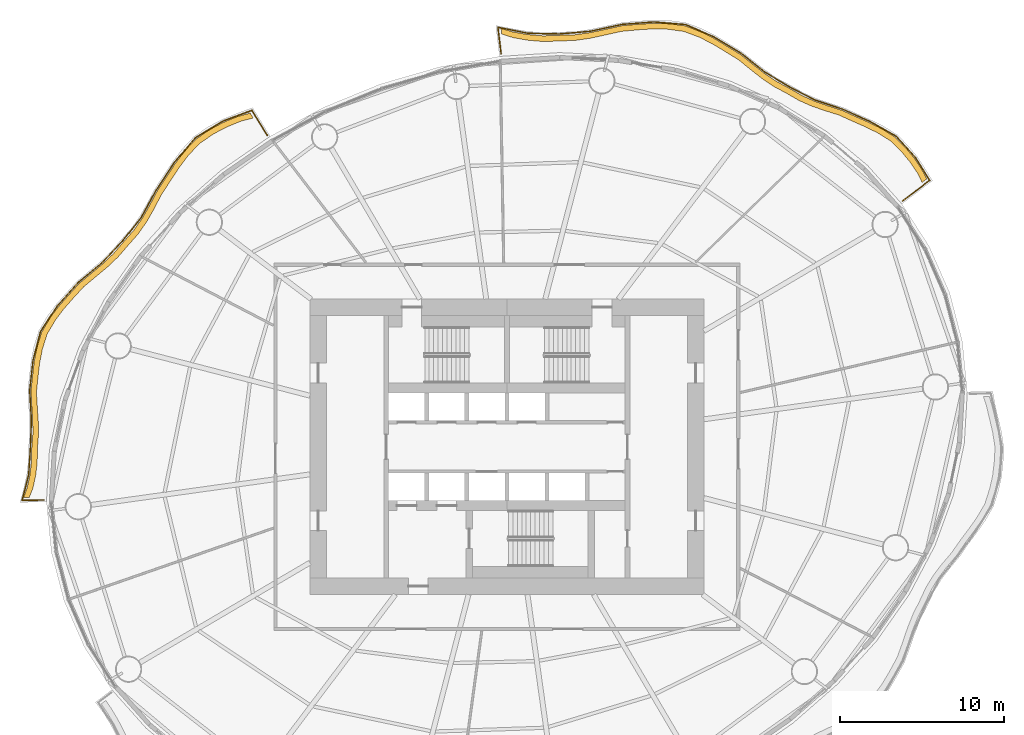
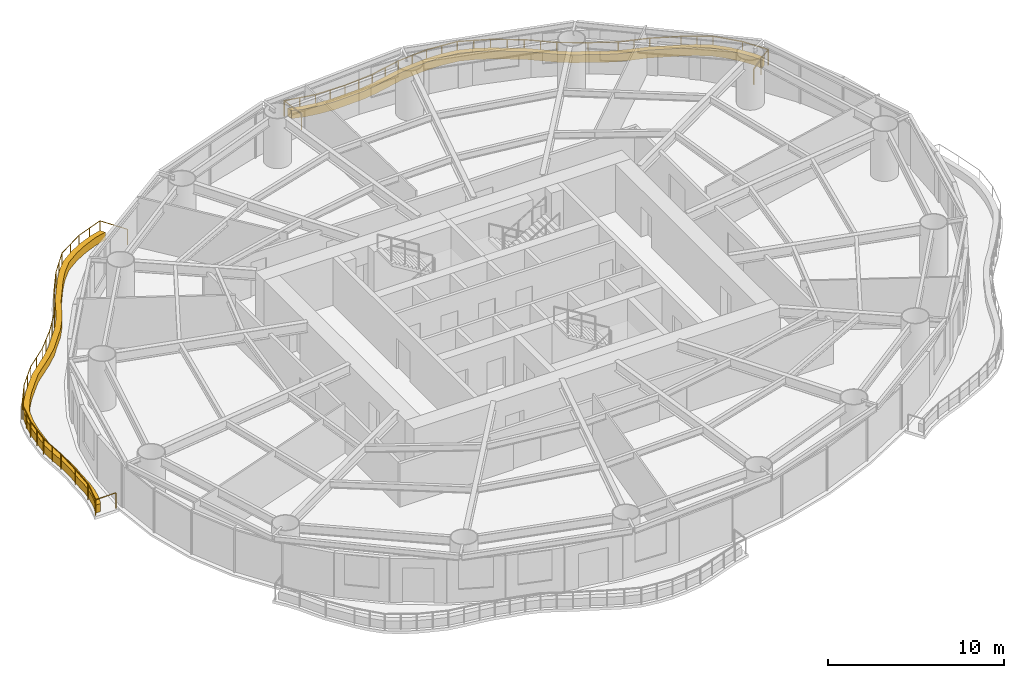
# One storey, part 16 of 16: 2 coverings, 2 railings.
"""IFC4 building model written with IfcOpenShell, lengths in metres."""

from ifc_helpers import new_model, si_unit, direction, frame, origin, origin_2d, place, context, subcontext, project, spatial, polyline, circle, outline, extrude, material, type_object, element, save


model = new_model("IFC4")

# Units and contexts
model_context = context("Model", 3, precision=1e-05, world=origin(), true_north=direction((0.0, 1.0)))
body_context = subcontext(model_context, "Body", "Model", "MODEL_VIEW")
ifc_project = project(units=[si_unit("LENGTHUNIT", "METRE"), si_unit("AREAUNIT", "SQUARE_METRE"), si_unit("VOLUMEUNIT", "CUBIC_METRE"), si_unit("PLANEANGLEUNIT", "RADIAN"), si_unit("MASSUNIT", "GRAM", prefix="KILO")], contexts=[model_context])

# Site, building, storey
site_placement = place(None, origin())
site = spatial("IfcSite", under=ifc_project, at=site_placement, CompositionType="ELEMENT")
building_placement = place(site_placement, origin())
building = spatial("IfcBuilding", under=site, at=building_placement, Name="Vermilion Reach Broadcast Tower", CompositionType="ELEMENT")
storey_placement = place(building_placement, frame((0.0, 0.0, 110.199951171875)))
storey = spatial("IfcBuildingStorey", under=building, at=storey_placement, Name="L25", CompositionType="ELEMENT", Elevation=110.199951171875)

# Coverings
ifc_material_1 = material(Name="Planting soil and greenery")
covering_type = type_object("IfcCoveringType", Name="Balcony PLANTER", PredefinedType="USERDEFINED", material=ifc_material_1)
placement = place(storey_placement, origin())
element("IfcCovering", 1, at=placement, inside=storey, type_object=covering_type, Name="PLANTER L25 group 1", ObjectType="PLANTER", PredefinedType="USERDEFINED", context=body_context, shape_type="SweptSolid", body=[
    extrude(outline(polyline([(19.572998046875, 16.319091796875), (19.2685546875, 16.919189453125), (18.82666015625, 17.576171875), (18.32666015625, 18.181396484375), (17.6474609375, 18.866943359375), (16.810302734375, 19.393310546875), (16.071044921875, 19.75732421875), (15.306640625, 20.091552734375), (14.44775390625, 20.490234375), (13.530517578125, 20.783935546875), (12.73583984375, 21.0595703125), (11.978759765625, 21.39599609375), (11.205810546875, 21.843017578125), (10.396484375, 22.2734375), (9.686767578125, 22.752685546875), (9.0029296875, 23.29052734375), (8.231689453125, 23.90625), (7.368896484375, 24.431396484375), (6.603271484375, 24.89208984375), (5.819091796875, 25.28955078125), (4.866455078125, 25.645263671875), (3.84033203125, 25.7861328125), (2.94580078125, 25.8056640625), (2.0380859375, 25.746826171875), (1.01708984375, 25.657470703125), (-0.00537109375, 25.433837890625), (-0.919677734375, 25.23583984375), (-1.830810546875, 25.105224609375), (-2.796630859375, 25.072509765625), (-3.77392578125, 25.03759765625), (-4.69873046875, 25.112548828125), (-5.62890625, 25.27197265625), (-6.356201171875, 25.494873046875), (-6.314697265625, 25.147216796875), (-5.6064453125, 24.922607421875), (-4.67626953125, 24.76318359375), (-3.751708984375, 24.688232421875), (-2.7939453125, 24.722412109375), (-1.847900390625, 24.755859375), (-0.936767578125, 24.88623046875), (-0.0224609375, 25.084228515625), (0.979736328125, 25.3095703125), (1.98046875, 25.401611328125), (2.887939453125, 25.46044921875), (3.782470703125, 25.44091796875), (4.78759765625, 25.30419921875), (5.7197265625, 24.9541015625), (6.50390625, 24.556640625), (7.269287109375, 24.095703125), (8.11083984375, 23.57763671875), (8.861572265625, 22.970458984375), (9.545166015625, 22.432373046875), (10.255126953125, 21.953369140625), (11.04296875, 21.533203125), (11.795166015625, 21.097900390625), (12.552490234375, 20.761474609375), (13.34716796875, 20.48583984375), (14.24365234375, 20.205810546875), (15.082763671875, 19.822265625), (15.84716796875, 19.48828125), (16.58642578125, 19.124267578125), (17.404296875, 18.615234375), (18.0654296875, 17.94873046875), (18.5654296875, 17.34326171875), (19.00732421875, 16.686279296875), (19.29443359375, 16.107177734375), (19.572998046875, 16.319091796875)])), origin(), (0.0, 0.0, 1.0), 0.550048828125),
])
element("IfcCovering", 2, at=placement, inside=storey, type_object=covering_type, Name="PLANTER L25 group 2", ObjectType="PLANTER", PredefinedType="USERDEFINED", context=body_context, shape_type="SweptSolid", body=[
    extrude(outline(polyline([(-21.6357421875, 20.32958984375), (-22.37646484375, 20.13427734375), (-23.247314453125, 19.77880859375), (-24.06689453125, 19.349609375), (-24.93798828125, 18.753173828125), (-25.655029296875, 17.991455078125), (-26.209228515625, 17.252685546875), (-26.72314453125, 16.468017578125), (-27.2939453125, 15.604248046875), (-27.765625, 14.708984375), (-28.215087890625, 13.921875), (-28.727294921875, 13.19140625), (-29.35791015625, 12.480224609375), (-29.96533203125, 11.77099609375), (-30.60498046875, 11.16357421875), (-31.2939453125, 10.590576171875), (-32.07275390625, 9.93798828125), (-32.73681640625, 9.202880859375), (-33.3095703125, 8.5517578125), (-33.821044921875, 7.868408203125), (-34.3330078125, 6.997802734375), (-34.62890625, 6.054931640625), (-34.7900390625, 5.23974609375), (-34.887939453125, 4.4013671875), (-34.99169921875, 3.425048828125), (-34.9443359375, 2.462158203125), (-34.887939453125, 1.631591796875), (-34.87548828125, 0.810302734375), (-34.945556640625, -0.076416015625), (-34.96142578125, -0.9423828125), (-35.054443359375, -1.722900390625), (-35.22265625, -2.4990234375), (-35.44189453125, -3.080810546875), (-35.092041015625, -3.073974609375), (-34.873291015625, -2.51904296875), (-34.704833984375, -1.742919921875), (-34.612060546875, -0.96240234375), (-34.5986328125, -0.12255859375), (-34.532958984375, 0.738525390625), (-34.54541015625, 1.559814453125), (-34.601806640625, 2.39013671875), (-34.655029296875, 3.3291015625), (-34.55908203125, 4.28173828125), (-34.461181640625, 5.1201171875), (-34.2998046875, 5.935302734375), (-34.012939453125, 6.856201171875), (-33.511474609375, 7.70556640625), (-32.999755859375, 8.388916015625), (-32.427001953125, 9.0400390625), (-31.77392578125, 9.755615234375), (-31.007568359375, 10.389404296875), (-30.318603515625, 10.96240234375), (-29.678955078125, 11.56982421875), (-29.08447265625, 12.261962890625), (-28.4677734375, 12.956787109375), (-27.95556640625, 13.687255859375), (-27.505859375, 14.474365234375), (-27.04833984375, 15.354736328125), (-26.492431640625, 16.20458984375), (-25.978515625, 16.9892578125), (-25.42431640625, 17.72802734375), (-24.72265625, 18.477294921875), (-23.867431640625, 19.06201171875), (-23.0478515625, 19.4912109375), (-22.177001953125, 19.8466796875), (-21.452392578125, 20.031494140625), (-21.6357421875, 20.32958984375)])), origin(), (0.0, 0.0, 1.0), 0.550048828125),
])

# Railings
ifc_material_2 = material(Name="Stainless steel 316 balustrade", Category="steel")
railing_type = type_object("IfcRailingType", Name="Balcony guard 1100", PredefinedType="BALUSTRADE", material=ifc_material_2)
railing_1_placement = place(storey_placement, frame((18.103271484375, 14.975341796875, 0.0)))
element("IfcRailing", 3, at=railing_1_placement, inside=storey, type_object=railing_type, Name="Balcony guard L25 group 1", PredefinedType="BALUSTRADE", context=body_context, shape_type="SweptSolid", body=[
    extrude(circle(Radius=0.02490234375, at=origin_2d()), frame((0.0, 0.0, 1.0751953125), z_axis=(0.795820075143, 0.605533160115, 0.0), x_axis=(-0.605533160115, 0.795820075143, 0.0)), (0.0, 0.0, 1.0), 2.0771484375),
    extrude(circle(Radius=0.02490234375, at=origin_2d()), frame((1.653076171875, 1.2578125, 1.0751953125), z_axis=(-0.528784437375, 0.848756159795, 0.0), x_axis=(-0.848756159795, -0.528784437375, 0.0)), (0.0, 0.0, 1.0), 1.64501953125),
    extrude(circle(Radius=0.02490234375, at=origin_2d()), frame((0.783203125, 2.654052734375, 1.0751953125), z_axis=(-0.674589407059, 0.738193153506, 0.0), x_axis=(-0.738193153506, -0.674589407059, 0.0)), (0.0, 0.0, 1.0), 1.754150390625),
    extrude(circle(Radius=0.02490234375, at=origin_2d()), frame((-0.400146484375, 3.948974609375, 1.0751953125), z_axis=(-0.870319904688, 0.492486815564, 0.0), x_axis=(-0.492486815564, -0.870319904688, 0.0)), (0.0, 0.0, 1.0), 1.81640625),
    extrude(circle(Radius=0.02490234375, at=origin_2d()), frame((-1.98095703125, 4.843505859375, 1.0751953125), z_axis=(-0.911109144731, 0.412165168818, 0.0), x_axis=(-0.412165168818, -0.911109144731, 0.0)), (0.0, 0.0, 1.0), 1.786376953125),
    extrude(circle(Radius=0.02490234375, at=origin_2d()), frame((-3.608642578125, 5.579833984375, 1.0751953125), z_axis=(-0.948642819171, 0.316349176757, 0.0), x_axis=(-0.316349176757, -0.948642819171, 0.0)), (0.0, 0.0, 1.0), 1.809814453125),
    extrude(circle(Radius=0.02490234375, at=origin_2d()), frame((-5.325439453125, 6.15234375, 1.0751953125), z_axis=(-0.890023747189, 0.455914168939, 0.0), x_axis=(-0.455914168939, -0.890023747189, 0.0)), (0.0, 0.0, 1.0), 1.724365234375),
    extrude(circle(Radius=0.02490234375, at=origin_2d()), frame((-6.860107421875, 6.9384765625, 1.0751953125), z_axis=(-0.858110937565, 0.513464330632, 0.0), x_axis=(-0.513464330632, -0.858110937565, 0.0)), (0.0, 0.0, 1.0), 1.77587890625),
    extrude(circle(Radius=0.02490234375, at=origin_2d()), frame((-8.384033203125, 7.850341796875, 1.0751953125), z_axis=(-0.784120266908, 0.620608900213, 0.0), x_axis=(-0.620608900213, -0.784120266908, 0.0)), (0.0, 0.0, 1.0), 1.86181640625),
    extrude(circle(Radius=0.02490234375, at=origin_2d()), frame((-9.843994140625, 9.005859375, 1.0751953125), z_axis=(-0.855738569136, 0.517408447258, 0.0), x_axis=(-0.517408447258, -0.855738569136, 0.0)), (0.0, 0.0, 1.0), 1.90869140625),
    extrude(circle(Radius=0.02490234375, at=origin_2d()), frame((-11.477294921875, 9.993408203125, 1.0751953125), z_axis=(-0.917621309752, 0.39745582382, 0.0), x_axis=(-0.39745582382, -0.917621309752, 0.0)), (0.0, 0.0, 1.0), 1.89794921875),
    extrude(circle(Radius=0.02490234375, at=origin_2d()), frame((-13.218994140625, 10.747802734375, 1.0751953125), z_axis=(-0.996505554286, 0.083526524395, 0.0), x_axis=(-0.083526524395, -0.996505554286, 0.0)), (0.0, 0.0, 1.0), 1.93212890625),
    extrude(circle(Radius=0.02490234375, at=origin_2d()), frame((-15.144287109375, 10.9091796875, 1.0751953125), z_axis=(-0.997103172883, -0.07606091392, 0.0), x_axis=(0.07606091392, -0.997103172883, 0.0)), (0.0, 0.0, 1.0), 1.938720703125),
    extrude(circle(Radius=0.02490234375, at=origin_2d()), frame((-17.077392578125, 10.76171875, 1.0751953125), z_axis=(-0.977250607772, -0.212087834655, 0.0), x_axis=(0.212087834655, -0.977250607772, 0.0)), (0.0, 0.0, 1.0), 1.98681640625),
    extrude(circle(Radius=0.02490234375, at=origin_2d()), frame((-19.01904296875, 10.34033203125, 1.0751953125), z_axis=(-0.996263837911, -0.086361827631, 0.0), x_axis=(0.086361827631, -0.996263837911, 0.0)), (0.0, 0.0, 1.0), 1.888427734375),
    extrude(circle(Radius=0.02490234375, at=origin_2d()), frame((-20.900390625, 10.17724609375, 1.0751953125), z_axis=(-0.999782278512, 0.020866134622, 0.0), x_axis=(-0.020866134622, -0.999782278512, 0.0)), (0.0, 0.0, 1.0), 1.9072265625),
    extrude(circle(Radius=0.02490234375, at=origin_2d()), frame((-22.80712890625, 10.217041015625, 1.0751953125), z_axis=(-0.980365107358, 0.197190913267, 0.0), x_axis=(-0.197190913267, -0.980365107358, 0.0)), (0.0, 0.0, 1.0), 1.878173828125),
    extrude(circle(Radius=0.02490234375, at=origin_2d()), frame((-24.6484375, 10.58740234375, 1.0751953125), z_axis=(0.118426754855, -0.99296279071, 0.0), x_axis=(0.99296279071, 0.118426754855, 0.0)), (0.0, 0.0, 1.0), 1.634765625),
    extrude(circle(Radius=0.02490234375, at=origin_2d()), origin(), (0.0, 0.0, 1.0), 1.050048828125),
    extrude(circle(Radius=0.02490234375, at=origin_2d()), frame((0.82666015625, 0.62890625, 0.0)), (0.0, 0.0, 1.0), 1.050048828125),
    extrude(circle(Radius=0.02490234375, at=origin_2d()), frame((1.653076171875, 1.2578125, 0.0)), (0.0, 0.0, 1.0), 1.050048828125),
    extrude(circle(Radius=0.02490234375, at=origin_2d()), frame((0.783203125, 2.654052734375, 0.0)), (0.0, 0.0, 1.0), 1.050048828125),
    extrude(circle(Radius=0.02490234375, at=origin_2d()), frame((-0.400146484375, 3.948974609375, 0.0)), (0.0, 0.0, 1.0), 1.050048828125),
    extrude(circle(Radius=0.02490234375, at=origin_2d()), frame((-1.1904296875, 4.396240234375, 0.0)), (0.0, 0.0, 1.0), 1.050048828125),
    extrude(circle(Radius=0.02490234375, at=origin_2d()), frame((-1.98095703125, 4.843505859375, 0.0)), (0.0, 0.0, 1.0), 1.050048828125),
    extrude(circle(Radius=0.02490234375, at=origin_2d()), frame((-3.608642578125, 5.579833984375, 0.0)), (0.0, 0.0, 1.0), 1.050048828125),
    extrude(circle(Radius=0.02490234375, at=origin_2d()), frame((-4.467041015625, 5.8662109375, 0.0)), (0.0, 0.0, 1.0), 1.050048828125),
    extrude(circle(Radius=0.02490234375, at=origin_2d()), frame((-5.325439453125, 6.15234375, 0.0)), (0.0, 0.0, 1.0), 1.050048828125),
    extrude(circle(Radius=0.02490234375, at=origin_2d()), frame((-6.860107421875, 6.9384765625, 0.0)), (0.0, 0.0, 1.0), 1.050048828125),
    extrude(circle(Radius=0.02490234375, at=origin_2d()), frame((-8.384033203125, 7.850341796875, 0.0)), (0.0, 0.0, 1.0), 1.050048828125),
    extrude(circle(Radius=0.02490234375, at=origin_2d()), frame((-9.114013671875, 8.42822265625, 0.0)), (0.0, 0.0, 1.0), 1.050048828125),
    extrude(circle(Radius=0.02490234375, at=origin_2d()), frame((-9.843994140625, 9.005859375, 0.0)), (0.0, 0.0, 1.0), 1.050048828125),
    extrude(circle(Radius=0.02490234375, at=origin_2d()), frame((-10.66064453125, 9.49951171875, 0.0)), (0.0, 0.0, 1.0), 1.050048828125),
    extrude(circle(Radius=0.02490234375, at=origin_2d()), frame((-11.477294921875, 9.993408203125, 0.0)), (0.0, 0.0, 1.0), 1.050048828125),
    extrude(circle(Radius=0.02490234375, at=origin_2d()), frame((-12.34814453125, 10.37060546875, 0.0)), (0.0, 0.0, 1.0), 1.050048828125),
    extrude(circle(Radius=0.02490234375, at=origin_2d()), frame((-13.218994140625, 10.747802734375, 0.0)), (0.0, 0.0, 1.0), 1.050048828125),
    extrude(circle(Radius=0.02490234375, at=origin_2d()), frame((-14.181640625, 10.82861328125, 0.0)), (0.0, 0.0, 1.0), 1.050048828125),
    extrude(circle(Radius=0.02490234375, at=origin_2d()), frame((-15.144287109375, 10.9091796875, 0.0)), (0.0, 0.0, 1.0), 1.050048828125),
    extrude(circle(Radius=0.02490234375, at=origin_2d()), frame((-16.11083984375, 10.83544921875, 0.0)), (0.0, 0.0, 1.0), 1.050048828125),
    extrude(circle(Radius=0.02490234375, at=origin_2d()), frame((-17.077392578125, 10.76171875, 0.0)), (0.0, 0.0, 1.0), 1.050048828125),
    extrude(circle(Radius=0.02490234375, at=origin_2d()), frame((-18.04833984375, 10.551025390625, 0.0)), (0.0, 0.0, 1.0), 1.050048828125),
    extrude(circle(Radius=0.02490234375, at=origin_2d()), frame((-19.01904296875, 10.34033203125, 0.0)), (0.0, 0.0, 1.0), 1.050048828125),
    extrude(circle(Radius=0.02490234375, at=origin_2d()), frame((-19.959716796875, 10.2587890625, 0.0)), (0.0, 0.0, 1.0), 1.050048828125),
    extrude(circle(Radius=0.02490234375, at=origin_2d()), frame((-20.900390625, 10.17724609375, 0.0)), (0.0, 0.0, 1.0), 1.050048828125),
    extrude(circle(Radius=0.02490234375, at=origin_2d()), frame((-21.853759765625, 10.197265625, 0.0)), (0.0, 0.0, 1.0), 1.050048828125),
    extrude(circle(Radius=0.02490234375, at=origin_2d()), frame((-22.80712890625, 10.217041015625, 0.0)), (0.0, 0.0, 1.0), 1.050048828125),
    extrude(circle(Radius=0.02490234375, at=origin_2d()), frame((-23.727783203125, 10.40234375, 0.0)), (0.0, 0.0, 1.0), 1.050048828125),
    extrude(circle(Radius=0.02490234375, at=origin_2d()), frame((-24.6484375, 10.58740234375, 0.0)), (0.0, 0.0, 1.0), 1.050048828125),
    extrude(circle(Radius=0.02490234375, at=origin_2d()), frame((-24.454833984375, 8.964111328125, 0.0)), (0.0, 0.0, 1.0), 1.050048828125),
])
railing_2_placement = place(storey_placement, frame((-20.59423828125, 18.979736328125, 0.0)))
element("IfcRailing", 4, at=railing_2_placement, inside=storey, type_object=railing_type, Name="Balcony guard L25 group 2", PredefinedType="BALUSTRADE", context=body_context, shape_type="SweptSolid", body=[
    extrude(circle(Radius=0.02490234375, at=origin_2d()), frame((0.0, 0.0, 1.0751953125), z_axis=(-0.524036384482, 0.851695877493, 0.0), x_axis=(-0.851695877493, -0.524036384482, 0.0)), (0.0, 0.0, 1.0), 1.78515625),
    extrude(circle(Radius=0.02490234375, at=origin_2d()), frame((-0.935546875, 1.5205078125, 1.0751953125), z_axis=(-0.937317506283, -0.348476530652, 0.0), x_axis=(0.348476530652, -0.937317506283, 0.0)), (0.0, 0.0, 1.0), 1.881103515625),
    extrude(circle(Radius=0.02490234375, at=origin_2d()), frame((-2.69873046875, 0.864990234375, 1.0751953125), z_axis=(-0.85481873733, -0.518926706105, 0.0), x_axis=(0.518926706105, -0.85481873733, 0.0)), (0.0, 0.0, 1.0), 1.982177734375),
    extrude(circle(Radius=0.02490234375, at=origin_2d()), frame((-4.39306640625, -0.16357421875, 1.0751953125), z_axis=(-0.646619446776, -0.762812749664, 0.0), x_axis=(0.762812749664, -0.646619446776, 0.0)), (0.0, 0.0, 1.0), 1.970947265625),
    extrude(circle(Radius=0.02490234375, at=origin_2d()), frame((-5.66748046875, -1.6669921875, 1.0751953125), z_axis=(-0.550248823338, -0.835000737973, 0.0), x_axis=(0.835000737973, -0.550248823338, 0.0)), (0.0, 0.0, 1.0), 1.97802734375),
    extrude(circle(Radius=0.02490234375, at=origin_2d()), frame((-6.755859375, -3.318603515625, 1.0751953125), z_axis=(-0.480826311938, -0.87681586308, 0.0), x_axis=(0.87681586308, -0.480826311938, 0.0)), (0.0, 0.0, 1.0), 1.92236328125),
    extrude(circle(Radius=0.02490234375, at=origin_2d()), frame((-7.68017578125, -5.004150390625, 1.0751953125), z_axis=(-0.621299445608, -0.783573224968, 0.0), x_axis=(0.783573224968, -0.621299445608, 0.0)), (0.0, 0.0, 1.0), 1.844482421875),
    extrude(circle(Radius=0.02490234375, at=origin_2d()), frame((-8.826171875, -6.449462890625, 1.0751953125), z_axis=(-0.687372178571, -0.726305368373, 0.0), x_axis=(0.726305368373, -0.687372178571, 0.0)), (0.0, 0.0, 1.0), 1.818603515625),
    extrude(circle(Radius=0.02490234375, at=origin_2d()), frame((-10.076171875, -7.770263671875, 1.0751953125), z_axis=(-0.767103080231, -0.641523861053, 0.0), x_axis=(0.641523861053, -0.767103080231, 0.0)), (0.0, 0.0, 1.0), 1.9169921875),
    extrude(circle(Radius=0.02490234375, at=origin_2d()), frame((-11.546630859375, -9.0, 1.0751953125), z_axis=(-0.66538005115, -0.746504780649, 0.0), x_axis=(0.746504780649, -0.66538005115, 0.0)), (0.0, 0.0, 1.0), 1.86279296875),
    extrude(circle(Radius=0.02490234375, at=origin_2d()), frame((-12.7861328125, -10.390625, 1.0751953125), z_axis=(-0.549678966778, -0.835375983304, 0.0), x_axis=(0.835375983304, -0.549678966778, 0.0)), (0.0, 0.0, 1.0), 1.8662109375),
    extrude(circle(Radius=0.02490234375, at=origin_2d()), frame((-13.81201171875, -11.94970703125, 1.0751953125), z_axis=(-0.251952688019, -0.967739553289, 0.0), x_axis=(0.967739553289, -0.251952688019, 0.0)), (0.0, 0.0, 1.0), 1.82177734375),
    extrude(circle(Radius=0.02490234375, at=origin_2d()), frame((-14.27099609375, -13.712646484375, 1.0751953125), z_axis=(-0.111046024882, -0.993815264704, 0.0), x_axis=(0.993815264704, -0.111046024882, 0.0)), (0.0, 0.0, 1.0), 1.831298828125),
    extrude(circle(Radius=0.02490234375, at=origin_2d()), frame((-14.474365234375, -15.53271484375, 1.0751953125), z_axis=(0.056768125429, -0.998387389712, 0.0), x_axis=(0.998387389712, 0.056768125429, 0.0)), (0.0, 0.0, 1.0), 1.802001953125),
    extrude(circle(Radius=0.02490234375, at=origin_2d()), frame((-14.3720703125, -17.331787109375, 1.0751953125), z_axis=(-0.034168071828, -0.999416100965, 0.0), x_axis=(0.999416100965, -0.034168071828, 0.0)), (0.0, 0.0, 1.0), 1.71484375),
    extrude(circle(Radius=0.02490234375, at=origin_2d()), frame((-14.4306640625, -19.045654296875, 1.0751953125), z_axis=(-0.066049309894, -0.99781636019, 0.0), x_axis=(0.99781636019, -0.066049309894, 0.0)), (0.0, 0.0, 1.0), 1.656005859375),
    extrude(circle(Radius=0.02490234375, at=origin_2d()), frame((-14.5400390625, -20.697998046875, 1.0751953125), z_axis=(-0.249590883285, -0.968351377849, 0.0), x_axis=(0.968351377849, -0.249590883285, 0.0)), (0.0, 0.0, 1.0), 1.594482421875),
    extrude(circle(Radius=0.02490234375, at=origin_2d()), frame((-14.93798828125, -22.241943359375, 1.0751953125), z_axis=(0.999806630202, 0.019664745231, 0.0), x_axis=(-0.019664745231, 0.999806630202, 0.0)), (0.0, 0.0, 1.0), 1.3408203125),
    extrude(circle(Radius=0.02490234375, at=origin_2d()), origin(), (0.0, 0.0, 1.0), 1.050048828125),
    extrude(circle(Radius=0.02490234375, at=origin_2d()), frame((-0.935546875, 1.5205078125, 0.0)), (0.0, 0.0, 1.0), 1.050048828125),
    extrude(circle(Radius=0.02490234375, at=origin_2d()), frame((-1.817138671875, 1.19287109375, 0.0)), (0.0, 0.0, 1.0), 1.050048828125),
    extrude(circle(Radius=0.02490234375, at=origin_2d()), frame((-2.69873046875, 0.864990234375, 0.0)), (0.0, 0.0, 1.0), 1.050048828125),
    extrude(circle(Radius=0.02490234375, at=origin_2d()), frame((-3.5458984375, 0.3505859375, 0.0)), (0.0, 0.0, 1.0), 1.050048828125),
    extrude(circle(Radius=0.02490234375, at=origin_2d()), frame((-4.39306640625, -0.16357421875, 0.0)), (0.0, 0.0, 1.0), 1.050048828125),
    extrude(circle(Radius=0.02490234375, at=origin_2d()), frame((-5.0302734375, -0.915283203125, 0.0)), (0.0, 0.0, 1.0), 1.050048828125),
    extrude(circle(Radius=0.02490234375, at=origin_2d()), frame((-5.66748046875, -1.6669921875, 0.0)), (0.0, 0.0, 1.0), 1.050048828125),
    extrude(circle(Radius=0.02490234375, at=origin_2d()), frame((-6.211669921875, -2.49267578125, 0.0)), (0.0, 0.0, 1.0), 1.050048828125),
    extrude(circle(Radius=0.02490234375, at=origin_2d()), frame((-6.755859375, -3.318603515625, 0.0)), (0.0, 0.0, 1.0), 1.050048828125),
    extrude(circle(Radius=0.02490234375, at=origin_2d()), frame((-7.218017578125, -4.161376953125, 0.0)), (0.0, 0.0, 1.0), 1.050048828125),
    extrude(circle(Radius=0.02490234375, at=origin_2d()), frame((-7.68017578125, -5.004150390625, 0.0)), (0.0, 0.0, 1.0), 1.050048828125),
    extrude(circle(Radius=0.02490234375, at=origin_2d()), frame((-8.253173828125, -5.726806640625, 0.0)), (0.0, 0.0, 1.0), 1.050048828125),
    extrude(circle(Radius=0.02490234375, at=origin_2d()), frame((-8.826171875, -6.449462890625, 0.0)), (0.0, 0.0, 1.0), 1.050048828125),
    extrude(circle(Radius=0.02490234375, at=origin_2d()), frame((-9.451171875, -7.10986328125, 0.0)), (0.0, 0.0, 1.0), 1.050048828125),
    extrude(circle(Radius=0.02490234375, at=origin_2d()), frame((-10.076171875, -7.770263671875, 0.0)), (0.0, 0.0, 1.0), 1.050048828125),
    extrude(circle(Radius=0.02490234375, at=origin_2d()), frame((-10.8115234375, -8.38525390625, 0.0)), (0.0, 0.0, 1.0), 1.050048828125),
    extrude(circle(Radius=0.02490234375, at=origin_2d()), frame((-11.546630859375, -9.0, 0.0)), (0.0, 0.0, 1.0), 1.050048828125),
    extrude(circle(Radius=0.02490234375, at=origin_2d()), frame((-12.16650390625, -9.6953125, 0.0)), (0.0, 0.0, 1.0), 1.050048828125),
    extrude(circle(Radius=0.02490234375, at=origin_2d()), frame((-12.7861328125, -10.390625, 0.0)), (0.0, 0.0, 1.0), 1.050048828125),
    extrude(circle(Radius=0.02490234375, at=origin_2d()), frame((-13.299072265625, -11.170166015625, 0.0)), (0.0, 0.0, 1.0), 1.050048828125),
    extrude(circle(Radius=0.02490234375, at=origin_2d()), frame((-13.81201171875, -11.94970703125, 0.0)), (0.0, 0.0, 1.0), 1.050048828125),
    extrude(circle(Radius=0.02490234375, at=origin_2d()), frame((-14.04150390625, -12.8310546875, 0.0)), (0.0, 0.0, 1.0), 1.050048828125),
    extrude(circle(Radius=0.02490234375, at=origin_2d()), frame((-14.27099609375, -13.712646484375, 0.0)), (0.0, 0.0, 1.0), 1.050048828125),
    extrude(circle(Radius=0.02490234375, at=origin_2d()), frame((-14.37255859375, -14.62255859375, 0.0)), (0.0, 0.0, 1.0), 1.050048828125),
    extrude(circle(Radius=0.02490234375, at=origin_2d()), frame((-14.474365234375, -15.53271484375, 0.0)), (0.0, 0.0, 1.0), 1.050048828125),
    extrude(circle(Radius=0.02490234375, at=origin_2d()), frame((-14.42333984375, -16.43212890625, 0.0)), (0.0, 0.0, 1.0), 1.050048828125),
    extrude(circle(Radius=0.02490234375, at=origin_2d()), frame((-14.3720703125, -17.331787109375, 0.0)), (0.0, 0.0, 1.0), 1.050048828125),
    extrude(circle(Radius=0.02490234375, at=origin_2d()), frame((-14.4306640625, -19.045654296875, 0.0)), (0.0, 0.0, 1.0), 1.050048828125),
    extrude(circle(Radius=0.02490234375, at=origin_2d()), frame((-14.5400390625, -20.697998046875, 0.0)), (0.0, 0.0, 1.0), 1.050048828125),
    extrude(circle(Radius=0.02490234375, at=origin_2d()), frame((-14.93798828125, -22.241943359375, 0.0)), (0.0, 0.0, 1.0), 1.050048828125),
    extrude(circle(Radius=0.02490234375, at=origin_2d()), frame((-13.597412109375, -22.215576171875, 0.0)), (0.0, 0.0, 1.0), 1.050048828125),
])

save(model, "model.ifc")
